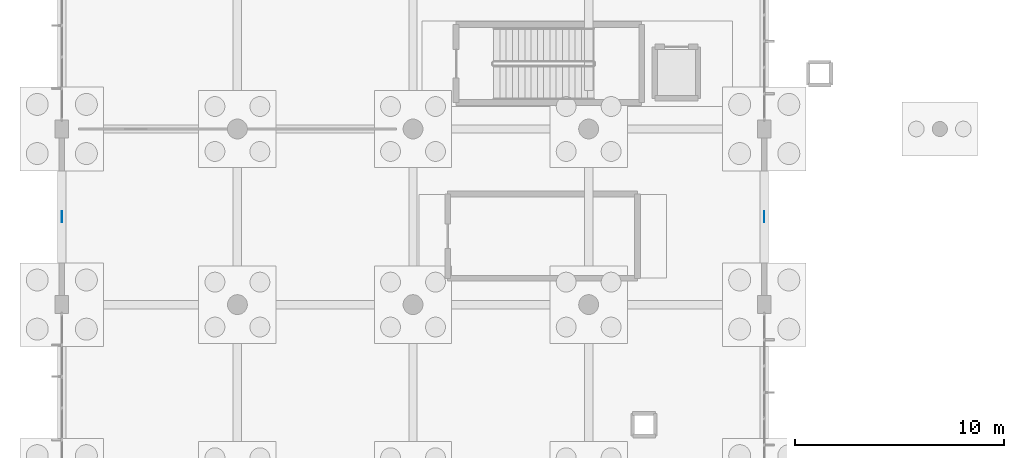
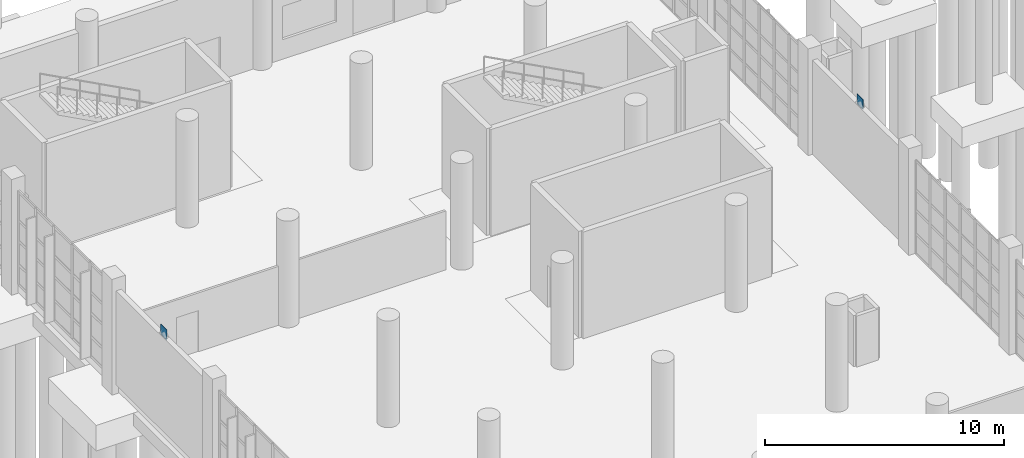
# One storey, part 48 of 83: 2 plates.
"""IFC4 building model written with IfcOpenShell, lengths in metres."""

from ifc_helpers import new_model, si_unit, direction, frame, origin, origin_2d, place, context, subcontext, project, spatial, rectangle, extrude, material, layer, layer_set, type_object, element, save


model = new_model("IFC4")

# Units and contexts
model_context = context("Model", 3, precision=1e-05, world=origin(), true_north=direction((0.0, 1.0)))
body_context = subcontext(model_context, "Body", "Model", "MODEL_VIEW")
ifc_project = project(units=[si_unit("LENGTHUNIT", "METRE"), si_unit("AREAUNIT", "SQUARE_METRE"), si_unit("VOLUMEUNIT", "CUBIC_METRE"), si_unit("PLANEANGLEUNIT", "RADIAN"), si_unit("MASSUNIT", "GRAM", prefix="KILO"), si_unit("THERMODYNAMICTEMPERATUREUNIT", "KELVIN"), si_unit("POWERUNIT", "WATT")], contexts=[model_context])

# Site, building, storey
site_placement = place(None, origin())
site = spatial("IfcSite", under=ifc_project, at=site_placement, CompositionType="ELEMENT")
building_placement = place(site_placement, origin())
building = spatial("IfcBuilding", under=site, at=building_placement, Name="Mavoryth Pier Ferry Terminal", CompositionType="ELEMENT")
storey_placement = place(building_placement, origin())
storey = spatial("IfcBuildingStorey", under=building, at=storey_placement, Name="L00", CompositionType="ELEMENT", Elevation=0.0)

# Plates
ifc_material = material(Name="Steel S355J2", Category="steel")
ifc_layer = layer(ifc_material, 0.02001953125, Name="Steel S355J2", Category="steel")
ifc_layer_set = layer_set([ifc_layer], Name="Steel S355J2 - Plate-Gusset-520x520x20")
plate_type = type_object("IfcPlateType", Name="Plate-Gusset-520x520x20", PredefinedType="SHEET", material=ifc_layer_set)
for number, where, z_axis, x_axis, name in (
    (1, (0.0, 85.0, 4.679931640625), (0.0, 0.0, 1.0), (0.0, 1.0, 0.0), "Steel Node Plate PL-L00-0074"),
    (2, (33.60009765625, 85.0, 4.679931640625), (0.0, 0.0, 1.0), (0.0, 1.0, 0.0), "Steel Node Plate PL-L00-0076"),
):
    element("IfcPlate", number, at=place(storey_placement, frame(where, z_axis=z_axis, x_axis=x_axis)), inside=storey, type_object=plate_type, Name=name, PredefinedType="SHEET", context=body_context, shape_type="SweptSolid", body=[
        extrude(rectangle(XDim=0.52001953125, YDim=0.02001953125, at=origin_2d()), origin(), (0.0, 0.0, 1.0), 0.52001953125),
    ])

save(model, "model.ifc")
